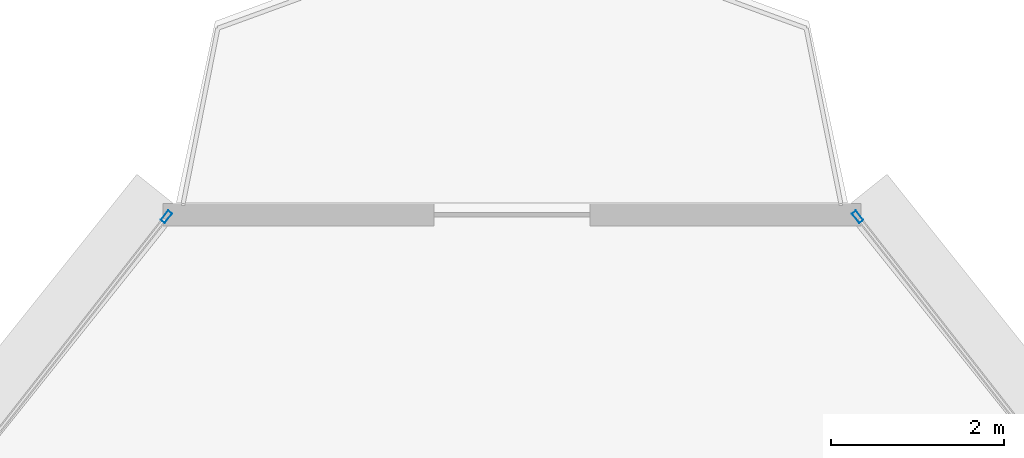
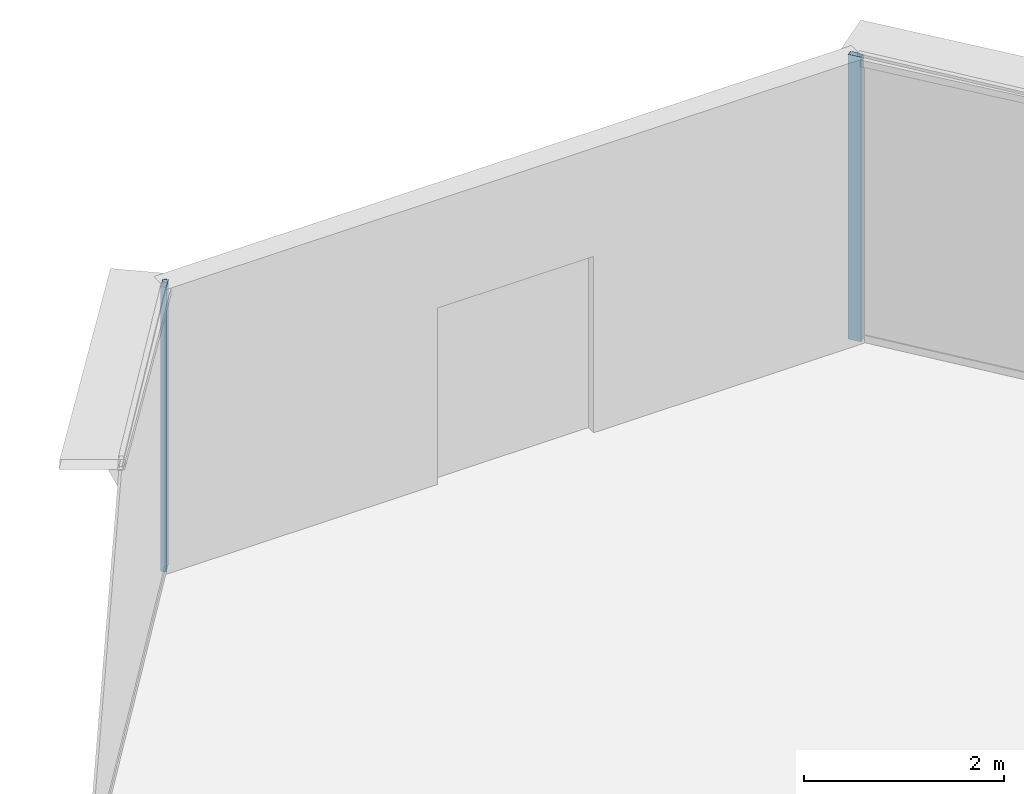
# One storey, part 24 of 34: 2 members, 2 elements without a shape of their own.
"""IFC4 building model written with IfcOpenShell, lengths in metres."""

from ifc_helpers import new_model, si_unit, direction, frame, origin, origin_2d, place, context, subcontext, project, spatial, hollow_rectangle, extrude, source, transform, mapped, material, layer, layer_set, material_profile, profile_set, type_object, element, aggregate, save


model = new_model("IFC4")

# Units and contexts
model_context = context("Model", 3, precision=1e-05, world=origin(), true_north=direction((0.0, 1.0)))
body_context = subcontext(model_context, "Body", "Model", "MODEL_VIEW")
ifc_project = project(units=[si_unit("LENGTHUNIT", "METRE"), si_unit("AREAUNIT", "SQUARE_METRE"), si_unit("VOLUMEUNIT", "CUBIC_METRE"), si_unit("PLANEANGLEUNIT", "RADIAN"), si_unit("MASSUNIT", "GRAM", prefix="KILO"), si_unit("THERMODYNAMICTEMPERATUREUNIT", "KELVIN"), si_unit("POWERUNIT", "WATT")], contexts=[model_context])

# Site, building, storey
site_placement = place(None, origin())
site = spatial("IfcSite", under=ifc_project, at=site_placement, CompositionType="ELEMENT")
building_placement = place(site_placement, origin())
building = spatial("IfcBuilding", under=site, at=building_placement, Name="Yunzhuo Pagoda Commons", CompositionType="ELEMENT")
storey_placement = place(building_placement, frame((0.0, 0.0, 229.610107421875)))
storey = spatial("IfcBuildingStorey", under=building, at=storey_placement, Name="L57", CompositionType="ELEMENT", Elevation=229.610107421875)

# Curtain wall, member
ifc_material = material(Name="Anodized aluminium 6063-T6", Category="aluminium")
ifc_layer = layer(ifc_material, 0.139892578125)
ifc_layer_set = layer_set([ifc_layer], Name="Anodized aluminium 6063-T6")
curtain_wall_type = type_object("IfcCurtainWallType", Name="CW-HI High-Zone Ribbon Curtain Wall", PredefinedType="NOTDEFINED", material=ifc_layer_set)
curtain_wall_1_placement = place(storey_placement, origin())
curtain_wall_1 = element("IfcCurtainWall", 1, at=curtain_wall_1_placement, inside=storey, type_object=curtain_wall_type, Name="L57 curtain wall CW-L57-F2B5", PredefinedType="NOTDEFINED")
ifc_material_profile = material_profile(ifc_material, hollow_rectangle(XDim=0.06005859375, YDim=0.139892578125, WallThickness=0.00341796875, at=origin_2d()), Name="Anodized aluminium 6063-T6")
ifc_profile_set = profile_set([ifc_material_profile], Name="Anodized aluminium 6063-T6")
member_type = type_object("IfcMemberType", Name="CW-HI-M Mullion RHS 140x60x3.5", PredefinedType="MULLION", material=ifc_profile_set)
shared_shape = source(origin(), body_context, "Body", "SweptSolid", [
    extrude(hollow_rectangle(XDim=0.06005859375, YDim=0.139892578125, WallThickness=0.00341796875, at=origin_2d()), origin(), (0.0, 0.0, 1.0), 3.469970703125),
])
member_1_placement = place(storey_placement, frame((51.984375, 80.7783203125, 0.0), z_axis=(0.0, 0.0, 1.0), x_axis=(-0.787639445288, -0.616136433127, 0.0)))
member_1 = element("IfcMember", 2, at=member_1_placement, type_object=member_type, Name="CW mullion 2", PredefinedType="MULLION", context=body_context, shape_type="MappedRepresentation", body=[
    mapped(shared_shape, transform((0.0, 0.0, 0.0), scale=1.0)),
])
aggregate(curtain_wall_1, [member_1])

curtain_wall_2_placement = place(storey_placement, origin())
curtain_wall_2 = element("IfcCurtainWall", 3, at=curtain_wall_2_placement, inside=storey, type_object=curtain_wall_type, Name="L57 curtain wall CW-L57-F3B1", PredefinedType="NOTDEFINED")
member_2_placement = place(storey_placement, frame((44.015625, 80.7783203125, 0.0), z_axis=(0.0, 0.0, 1.0), x_axis=(0.787639445288, -0.616136433127, 0.0)))
member_2 = element("IfcMember", 4, at=member_2_placement, type_object=member_type, Name="CW mullion 1", PredefinedType="MULLION", context=body_context, shape_type="MappedRepresentation", body=[
    mapped(shared_shape, transform((0.0, 0.0, 0.0), scale=1.0)),
])
aggregate(curtain_wall_2, [member_2])

save(model, "model.ifc")
